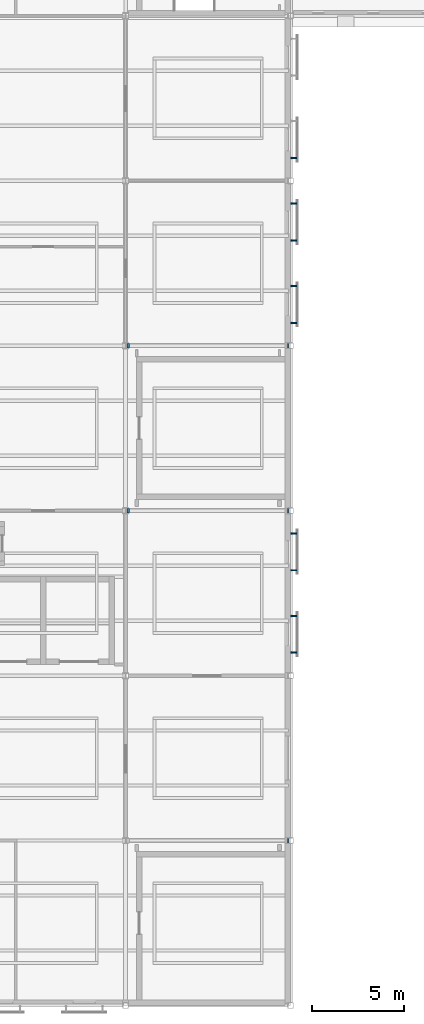
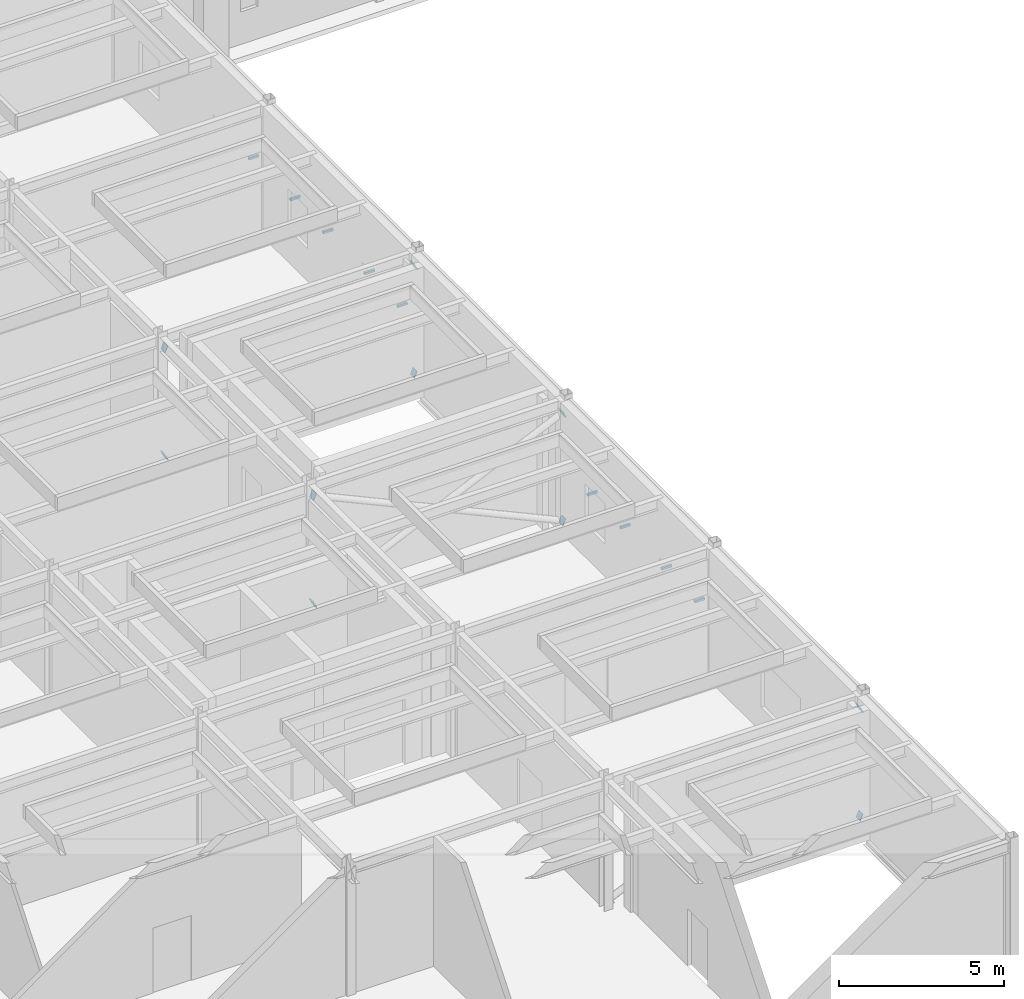
# One storey, part 100 of 115: 19 discrete accessories.
"""IFC4 building model written with IfcOpenShell, lengths in metres."""

from ifc_helpers import new_model, si_unit, direction, frame, origin, origin_2d, place, context, subcontext, project, spatial, polyline, rectangle, outline, extrude, material, layer, layer_set, type_object, element, save


model = new_model("IFC4")

# Units and contexts
model_context = context("Model", 3, precision=1e-05, world=origin(), true_north=direction((0.0, 1.0)))
body_context = subcontext(model_context, "Body", "Model", "MODEL_VIEW")
ifc_project = project(units=[si_unit("LENGTHUNIT", "METRE"), si_unit("AREAUNIT", "SQUARE_METRE"), si_unit("VOLUMEUNIT", "CUBIC_METRE"), si_unit("PLANEANGLEUNIT", "RADIAN"), si_unit("MASSUNIT", "GRAM", prefix="KILO")], contexts=[model_context])

# Site, building, storey
site_placement = place(None, origin())
site = spatial("IfcSite", under=ifc_project, at=site_placement, CompositionType="ELEMENT")
building_placement = place(site_placement, origin())
building = spatial("IfcBuilding", under=site, at=building_placement, Name="Shorebreak Coast Museum", CompositionType="ELEMENT")
storey_placement = place(building_placement, frame((0.0, 0.0, 11.0)))
storey = spatial("IfcBuildingStorey", under=building, at=storey_placement, Name="L02", CompositionType="ELEMENT", Elevation=11.0)

# Discrete accessories
ifc_material_1 = material(Name="Steel Grade 300", Category="steel")
ifc_layer = layer(ifc_material_1, 0.02490234375)
ifc_layer_set = layer_set([ifc_layer], Name="Steel Grade 300")
discrete_accessory_type_1 = type_object("IfcDiscreteAccessoryType", Name="End plate 250 x 250 x 25", PredefinedType="BRACKET", material=ifc_layer_set)
for number, where, z_axis, x_axis, name in (
    (1, (116.9248046875, 8.875, 4.171630859375), (0.909495559707, 0.0, 0.41571363566), (0.0, 1.0, 0.0), "End plate X-brace bay 14 L02 diagonal 1 end 2"),
    (2, (116.798095703125, 9.125, 0.186279296875), (-0.909495559707, 0.0, 0.41571363566), (0.0, -1.0, 0.0), "End plate X-brace bay 14 L02 diagonal 2 end 1"),
    (3, (108.20556640625, 26.875, 0.186279296875), (0.909495559707, 0.0, 0.41571363566), (0.0, 1.0, 0.0), "End plate X-brace bay 17 L02 diagonal 1 end 1"),
    (4, (116.9248046875, 26.875, 4.171630859375), (0.909495559707, 0.0, 0.41571363566), (0.0, 1.0, 0.0), "End plate X-brace bay 17 L02 diagonal 1 end 2"),
    (5, (116.798095703125, 27.125, 0.186279296875), (-0.909495559707, 0.0, 0.41571363566), (0.0, -1.0, 0.0), "End plate X-brace bay 17 L02 diagonal 2 end 1"),
):
    element("IfcDiscreteAccessory", number, at=place(storey_placement, frame(where, z_axis=z_axis, x_axis=x_axis)), inside=storey, type_object=discrete_accessory_type_1, Name=name, PredefinedType="BRACKET", context=body_context, shape_type="SweptSolid", body=[
        extrude(outline(polyline([(0.0, 0.0), (0.25, 0.0), (0.25, 0.2501816089936223), (0.0, 0.2501816089936223), (0.0, 0.0)])), origin(), (0.0, 0.0, -1.0), 0.02490234375),
    ])
discrete_accessory_1_placement = place(storey_placement, frame((108.078857421875, 27.125, 4.171630859375), z_axis=(-0.909864310999, 0.0, 0.41490593581), x_axis=(0.0, -1.0, 0.0)))
element("IfcDiscreteAccessory", 6, at=discrete_accessory_1_placement, inside=storey, type_object=discrete_accessory_type_1, Name="End plate X-brace bay 17 L02 diagonal 2 end 2", PredefinedType="BRACKET", context=body_context, shape_type="SweptSolid", body=[
    extrude(outline(polyline([(0.0, 0.0), (0.25, 0.0), (0.25, 0.2500802149829807), (0.0, 0.2500802149829807), (0.0, 0.0)])), origin(), (0.0, 0.0, -1.0), 0.02490234375),
])
for number, where, z_axis, x_axis, name in (
    (7, (108.20556640625, 35.875, 0.186279296875), (0.909495559707, 0.0, 0.41571363566), (0.0, 1.0, 0.0), "End plate X-brace bay 18 L02 diagonal 1 end 1"),
    (8, (116.9248046875, 35.875, 4.171630859375), (0.909495559707, 0.0, 0.41571363566), (0.0, 1.0, 0.0), "End plate X-brace bay 18 L02 diagonal 1 end 2"),
    (9, (116.798095703125, 36.125, 0.186279296875), (-0.909495559707, 0.0, 0.41571363566), (0.0, -1.0, 0.0), "End plate X-brace bay 18 L02 diagonal 2 end 1"),
):
    element("IfcDiscreteAccessory", number, at=place(storey_placement, frame(where, z_axis=z_axis, x_axis=x_axis)), inside=storey, type_object=discrete_accessory_type_1, Name=name, PredefinedType="BRACKET", context=body_context, shape_type="SweptSolid", body=[
        extrude(outline(polyline([(0.0, 0.0), (0.25, 0.0), (0.25, 0.2501816089936223), (0.0, 0.2501816089936223), (0.0, 0.0)])), origin(), (0.0, 0.0, -1.0), 0.02490234375),
    ])
discrete_accessory_2_placement = place(storey_placement, frame((108.078857421875, 36.125, 4.171630859375), z_axis=(-0.909864310999, 0.0, 0.41490593581), x_axis=(0.0, -1.0, 0.0)))
element("IfcDiscreteAccessory", 10, at=discrete_accessory_2_placement, inside=storey, type_object=discrete_accessory_type_1, Name="End plate X-brace bay 18 L02 diagonal 2 end 2", PredefinedType="BRACKET", context=body_context, shape_type="SweptSolid", body=[
    extrude(outline(polyline([(0.0, 0.0), (0.25, 0.0), (0.25, 0.2500802149829807), (0.0, 0.2500802149829807), (0.0, 0.0)])), origin(), (0.0, 0.0, -1.0), 0.02490234375),
])
ifc_material_2 = material(Name="Aluminium", Category="aluminium")
discrete_accessory_type_2 = type_object("IfcDiscreteAccessoryType", Name="Fixing bracket 80 x 350", PredefinedType="BRACKET", material=ifc_material_2)
for number, where, z_axis, x_axis, name in (
    (11, (117.175048828125, 19.25, 1.909912109375), (0.0, 0.0, 1.0), (1.0, 0.0, 0.0), "Fixing bracket"),
    (12, (117.175048828125, 21.25, 1.909912109375), (0.0, 0.0, 1.0), (1.0, 0.0, 0.0), "Fixing bracket"),
    (13, (117.175048828125, 23.75, 1.909912109375), (0.0, 0.0, 1.0), (1.0, 0.0, 0.0), "Fixing bracket"),
    (14, (117.175048828125, 25.75, 1.909912109375), (0.0, 0.0, 1.0), (1.0, 0.0, 0.0), "Fixing bracket"),
    (15, (117.175048828125, 37.25, 1.909912109375), (0.0, 0.0, 1.0), (1.0, 0.0, 0.0), "Fixing bracket"),
    (16, (117.175048828125, 39.25, 1.909912109375), (0.0, 0.0, 1.0), (1.0, 0.0, 0.0), "Fixing bracket"),
    (17, (117.175048828125, 41.75, 1.909912109375), (0.0, 0.0, 1.0), (1.0, 0.0, 0.0), "Fixing bracket"),
    (18, (117.175048828125, 43.75, 1.909912109375), (0.0, 0.0, 1.0), (1.0, 0.0, 0.0), "Fixing bracket"),
    (19, (117.175048828125, 46.25, 1.909912109375), (0.0, 0.0, 1.0), (1.0, 0.0, 0.0), "Fixing bracket"),
):
    element("IfcDiscreteAccessory", number, at=place(storey_placement, frame(where, z_axis=z_axis, x_axis=x_axis)), inside=storey, type_object=discrete_accessory_type_2, Name=name, PredefinedType="BRACKET", context=body_context, shape_type="SweptSolid", body=[
        extrude(rectangle(XDim=0.35009765625, YDim=0.080078125, at=origin_2d()), origin(), (0.0, 0.0, 1.0), 0.080078125),
    ])

save(model, "model.ifc")
